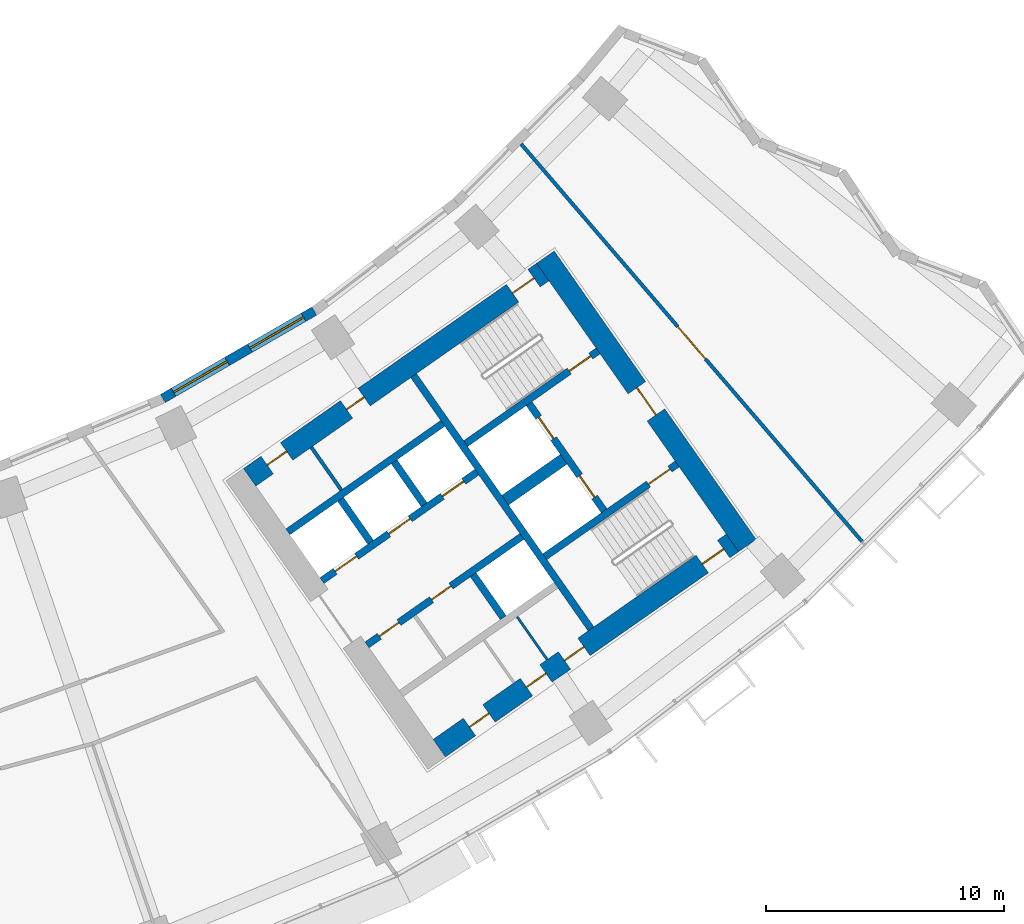
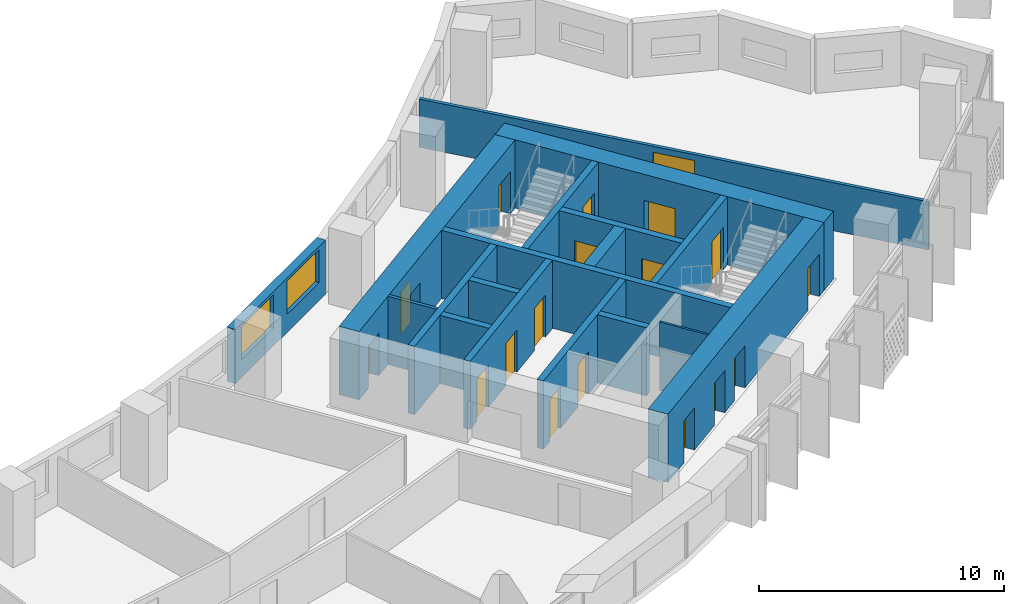
# One storey, part 7 of 28: 18 doors, 18 walls, 2 windows, 20 openings.
"""IFC4 building model written with IfcOpenShell, lengths in metres."""

from ifc_helpers import new_model, si_unit, direction, frame, frame_2d, origin, place, context, subcontext, project, spatial, rectangle, extrude, material, layer, layer_set, type_object, element, fill, save


model = new_model("IFC4")

# Units and contexts
model_context = context("Model", 3, precision=1e-05, world=origin(), true_north=direction((0.0, 1.0)))
body_context = subcontext(model_context, "Body", "Model", "MODEL_VIEW")
ifc_project = project(units=[si_unit("LENGTHUNIT", "METRE"), si_unit("AREAUNIT", "SQUARE_METRE"), si_unit("VOLUMEUNIT", "CUBIC_METRE"), si_unit("PLANEANGLEUNIT", "RADIAN"), si_unit("MASSUNIT", "GRAM", prefix="KILO")], contexts=[model_context])

# Site, building, storey
site_placement = place(None, origin())
site = spatial("IfcSite", under=ifc_project, at=site_placement, CompositionType="ELEMENT")
building_placement = place(site_placement, origin())
building = spatial("IfcBuilding", under=site, at=building_placement, Name="Qamariyya Broadcast Tower", CompositionType="ELEMENT")
storey_placement = place(building_placement, frame((0.0, 0.0, 140.5)))
storey = spatial("IfcBuildingStorey", under=building, at=storey_placement, Name="L32", CompositionType="ELEMENT", Elevation=140.5)

# Wall, opening, door
ifc_material_1 = material(Name="Concrete C70/85", Category="concrete")
ifc_layer_1 = layer(ifc_material_1, 0.89990234375)
ifc_layer_set_1 = layer_set([ifc_layer_1], Name="Core wall 900 mm Concrete C70/85")
wall_type_1 = type_object("IfcWallType", Name="Core wall 900 mm Concrete C70/85", PredefinedType="SHEAR", material=ifc_layer_set_1)
wall_1_placement = place(storey_placement, frame((49.778564453125, -57.191162109375, 0.0), z_axis=(0.0, 0.0, 1.0), x_axis=(-0.573577477574, 0.819151315216, 0.0)))
wall_1 = element("IfcWall", 1, at=wall_1_placement, inside=storey, type_object=wall_type_1, Name="k-E-L32-WH", PredefinedType="SHEAR", context=body_context, shape_type="SweptSolid", body=[
    extrude(rectangle(XDim=14.800048828125, YDim=0.89990234375, at=frame_2d((7.39990234375, 0.0))), origin(), (0.0, 0.0, 1.0), 3.39990234375),
])
opening_1_placement = place(wall_1_placement, frame((6.699951171875, 0.0, 0.0)))
opening_1 = element("IfcOpeningElement", 2, at=opening_1_placement, cuts=wall_1, Name="Opening KD2-E1", PredefinedType="OPENING", context=body_context, shape_type="SweptSolid", body=[
    extrude(rectangle(XDim=1.39990234375, YDim=2.10009765625, at=frame_2d((0.699951171875, 1.050048828125))), frame((0.0, 0.4599609375, 0.0), z_axis=(0.0, -1.0, 0.0), x_axis=(1.0, 0.0, 0.0)), (0.0, 0.0, 1.0), 0.919921875),
])
ifc_material_2 = material(Name="Steel fire-resisting door leaf", Category="steel")
door_type_1 = type_object("IfcDoorType", Name="Fire-fighting lobby door KD2", OperationType="DOUBLE_DOOR_SINGLE_SWING", PredefinedType="DOOR", material=ifc_material_2)
door_1_placement = place(opening_1_placement, origin())
door_1 = element("IfcDoor", 3, at=door_1_placement, inside=storey, type_object=door_type_1, Name="k-E-L32-WH-D14", OperationType="DOUBLE_DOOR_SINGLE_SWING", OverallHeight=2.10009765625, OverallWidth=1.39990234375, PredefinedType="DOOR", context=body_context, shape_type="SweptSolid", body=[
    extrude(rectangle(XDim=1.39990234375, YDim=2.10009765625, at=frame_2d((0.699951171875, 1.050048828125))), frame((0.0, 0.02490234375, 0.0), z_axis=(0.0, -1.0, 0.0), x_axis=(1.0, 0.0, 0.0)), (0.0, 0.0, 1.0), 0.050048828125),
])
fill(opening_1, door_1)

# Wall, openings, doors
wall_2_placement = place(storey_placement, frame((28.8544921875, -54.32421875, 0.0), z_axis=(0.0, 0.0, 1.0), x_axis=(0.819145767589, 0.573585400304, 0.0)))
wall_2 = element("IfcWall", 4, at=wall_2_placement, inside=storey, type_object=wall_type_1, Name="k-E-L32-WI", PredefinedType="SHEAR", context=body_context, shape_type="SweptSolid", body=[
    extrude(rectangle(XDim=15.04541015625, YDim=0.89990234375, at=frame_2d((7.522705078125, 0.0))), origin(), (0.0, 0.0, 1.0), 3.39990234375),
])
opening_2_placement = place(wall_2_placement, frame((0.89990234375, 0.0, 0.0)))
opening_2 = element("IfcOpeningElement", 5, at=opening_2_placement, cuts=wall_2, Name="Opening KD7-E1", PredefinedType="OPENING", context=body_context, shape_type="SweptSolid", body=[
    extrude(rectangle(XDim=1.0, YDim=2.10009765625, at=frame_2d((0.5, 1.050048828125))), frame((0.0, 0.4599609375, 0.0), z_axis=(0.0, -1.0, 0.0), x_axis=(1.0, 0.0, 0.0)), (0.0, 0.0, 1.0), 0.919921875),
])
opening_3_placement = place(wall_2_placement, frame((4.97509765625, 0.0, 0.0)))
opening_3 = element("IfcOpeningElement", 6, at=opening_3_placement, cuts=wall_2, Name="Opening KD5-E1", PredefinedType="OPENING", context=body_context, shape_type="SweptSolid", body=[
    extrude(rectangle(XDim=0.89990234375, YDim=2.10009765625, at=frame_2d((0.449951171875, 1.050048828125))), frame((0.0, 0.4599609375, 0.0), z_axis=(0.0, -1.0, 0.0), x_axis=(1.0, 0.0, 0.0)), (0.0, 0.0, 1.0), 0.919921875),
])
opening_4_placement = place(wall_2_placement, frame((13.495361328125, 0.0, 0.0)))
opening_4 = element("IfcOpeningElement", 7, at=opening_4_placement, cuts=wall_2, Name="Opening KD1-E1", PredefinedType="OPENING", context=body_context, shape_type="SweptSolid", body=[
    extrude(rectangle(XDim=1.10009765625, YDim=2.10009765625, at=frame_2d((0.550048828125, 1.050048828125))), frame((0.0, 0.4599609375, 0.0), z_axis=(0.0, -1.0, 0.0), x_axis=(1.0, 0.0, 0.0)), (0.0, 0.0, 1.0), 0.919921875),
])
door_type_2 = type_object("IfcDoorType", Name="Accessible toilet door KD7", OperationType="SINGLE_SWING_LEFT", PredefinedType="DOOR", material=ifc_material_2)
door_2_placement = place(opening_2_placement, origin())
door_2 = element("IfcDoor", 8, at=door_2_placement, inside=storey, type_object=door_type_2, Name="k-E-L32-WI-D7", OperationType="SINGLE_SWING_LEFT", OverallHeight=2.10009765625, OverallWidth=1.0, PredefinedType="DOOR", context=body_context, shape_type="SweptSolid", body=[
    extrude(rectangle(XDim=1.0, YDim=2.10009765625, at=frame_2d((0.5, 1.050048828125))), frame((0.0, 0.02490234375, 0.0), z_axis=(0.0, -1.0, 0.0), x_axis=(1.0, 0.0, 0.0)), (0.0, 0.0, 1.0), 0.050048828125),
])
fill(opening_2, door_2)
door_type_3 = type_object("IfcDoorType", Name="Stair door KD1", OperationType="SINGLE_SWING_LEFT", PredefinedType="DOOR", material=ifc_material_2)
door_3_placement = place(opening_4_placement, origin())
door_3 = element("IfcDoor", 9, at=door_3_placement, inside=storey, type_object=door_type_3, Name="k-E-L32-WI-D15", OperationType="SINGLE_SWING_RIGHT", OverallHeight=2.10009765625, OverallWidth=1.10009765625, PredefinedType="DOOR", context=body_context, shape_type="SweptSolid", body=[
    extrude(rectangle(XDim=1.10009765625, YDim=2.10009765625, at=frame_2d((0.550048828125, 1.050048828125))), frame((0.0, 0.02490234375, 0.0), z_axis=(0.0, -1.0, 0.0), x_axis=(1.0, 0.0, 0.0)), (0.0, 0.0, 1.0), 0.050048828125),
])
fill(opening_4, door_3)
door_type_4 = type_object("IfcDoorType", Name="Toilet door KD5", OperationType="SINGLE_SWING_LEFT", PredefinedType="DOOR", material=ifc_material_2)
door_4_placement = place(opening_3_placement, origin())
door_4 = element("IfcDoor", 10, at=door_4_placement, inside=storey, type_object=door_type_4, Name="k-E-L32-WI-D8", OperationType="SINGLE_SWING_RIGHT", OverallHeight=2.10009765625, OverallWidth=0.89990234375, PredefinedType="DOOR", context=body_context, shape_type="SweptSolid", body=[
    extrude(rectangle(XDim=0.89990234375, YDim=2.10009765625, at=frame_2d((0.449951171875, 1.050048828125))), frame((0.0, 0.02490234375, 0.0), z_axis=(0.0, -1.0, 0.0), x_axis=(1.0, 0.0, 0.0)), (0.0, 0.0, 1.0), 0.050048828125),
])
fill(opening_3, door_4)

wall_3_placement = place(storey_placement, frame((36.827392578125, -65.710205078125, 0.0), z_axis=(0.0, 0.0, 1.0), x_axis=(0.819153391756, 0.573574511963, 0.0)))
wall_3 = element("IfcWall", 11, at=wall_3_placement, inside=storey, type_object=wall_type_1, Name="k-E-L32-WO", PredefinedType="SHEAR", context=body_context, shape_type="SweptSolid", body=[
    extrude(rectangle(XDim=15.04541015625, YDim=0.89990234375, at=frame_2d((7.522705078125, 0.0))), origin(), (0.0, 0.0, 1.0), 3.39990234375),
])
opening_5_placement = place(wall_3_placement, frame((1.550048828125, 0.0, 0.0)))
opening_5 = element("IfcOpeningElement", 12, at=opening_5_placement, cuts=wall_3, Name="Opening KD4-E2", PredefinedType="OPENING", context=body_context, shape_type="SweptSolid", body=[
    extrude(rectangle(XDim=1.0, YDim=2.10009765625, at=frame_2d((0.5, 1.050048828125))), frame((0.0, 0.4599609375, 0.0), z_axis=(0.0, -1.0, 0.0), x_axis=(1.0, 0.0, 0.0)), (0.0, 0.0, 1.0), 0.919921875),
])
opening_6_placement = place(wall_3_placement, frame((4.47509765625, 0.0, 0.0)))
opening_6 = element("IfcOpeningElement", 13, at=opening_6_placement, cuts=wall_3, Name="Opening KD4-E3", PredefinedType="OPENING", context=body_context, shape_type="SweptSolid", body=[
    extrude(rectangle(XDim=1.0, YDim=2.10009765625, at=frame_2d((0.5, 1.050048828125))), frame((0.0, 0.4599609375, 0.0), z_axis=(0.0, -1.0, 0.0), x_axis=(1.0, 0.0, 0.0)), (0.0, 0.0, 1.0), 0.919921875),
])
opening_7_placement = place(wall_3_placement, frame((6.425048828125, 0.0, 0.0)))
opening_7 = element("IfcOpeningElement", 14, at=opening_7_placement, cuts=wall_3, Name="Opening KD4-E4", PredefinedType="OPENING", context=body_context, shape_type="SweptSolid", body=[
    extrude(rectangle(XDim=1.0, YDim=2.10009765625, at=frame_2d((0.5, 1.050048828125))), frame((0.0, 0.4599609375, 0.0), z_axis=(0.0, -1.0, 0.0), x_axis=(1.0, 0.0, 0.0)), (0.0, 0.0, 1.0), 0.919921875),
])
opening_8_placement = place(wall_3_placement, frame((13.495361328125, 0.0, 0.0)))
opening_8 = element("IfcOpeningElement", 15, at=opening_8_placement, cuts=wall_3, Name="Opening KD1-E3", PredefinedType="OPENING", context=body_context, shape_type="SweptSolid", body=[
    extrude(rectangle(XDim=1.10009765625, YDim=2.10009765625, at=frame_2d((0.550048828125, 1.050048828125))), frame((0.0, 0.4599609375, 0.0), z_axis=(0.0, -1.0, 0.0), x_axis=(1.0, 0.0, 0.0)), (0.0, 0.0, 1.0), 0.919921875),
])
door_type_5 = type_object("IfcDoorType", Name="Riser and plant door KD4", OperationType="SINGLE_SWING_LEFT", PredefinedType="DOOR", material=ifc_material_2)
door_5_placement = place(opening_5_placement, origin())
door_5 = element("IfcDoor", 16, at=door_5_placement, inside=storey, type_object=door_type_5, Name="k-E-L32-WO-D9", OperationType="SINGLE_SWING_LEFT", OverallHeight=2.10009765625, OverallWidth=1.0, PredefinedType="DOOR", context=body_context, shape_type="SweptSolid", body=[
    extrude(rectangle(XDim=1.0, YDim=2.10009765625, at=frame_2d((0.5, 1.050048828125))), frame((0.0, 0.02490234375, 0.0), z_axis=(0.0, -1.0, 0.0), x_axis=(1.0, 0.0, 0.0)), (0.0, 0.0, 1.0), 0.050048828125),
])
fill(opening_5, door_5)
door_6_placement = place(opening_6_placement, origin())
door_6 = element("IfcDoor", 17, at=door_6_placement, inside=storey, type_object=door_type_5, Name="k-E-L32-WO-D10", OperationType="SINGLE_SWING_RIGHT", OverallHeight=2.10009765625, OverallWidth=1.0, PredefinedType="DOOR", context=body_context, shape_type="SweptSolid", body=[
    extrude(rectangle(XDim=1.0, YDim=2.10009765625, at=frame_2d((0.5, 1.050048828125))), frame((0.0, 0.02490234375, 0.0), z_axis=(0.0, -1.0, 0.0), x_axis=(1.0, 0.0, 0.0)), (0.0, 0.0, 1.0), 0.050048828125),
])
fill(opening_6, door_6)
door_7_placement = place(opening_7_placement, origin())
door_7 = element("IfcDoor", 18, at=door_7_placement, inside=storey, type_object=door_type_5, Name="k-E-L32-WO-D11", OperationType="SINGLE_SWING_LEFT", OverallHeight=2.10009765625, OverallWidth=1.0, PredefinedType="DOOR", context=body_context, shape_type="SweptSolid", body=[
    extrude(rectangle(XDim=1.0, YDim=2.10009765625, at=frame_2d((0.5, 1.050048828125))), frame((0.0, 0.02490234375, 0.0), z_axis=(0.0, -1.0, 0.0), x_axis=(1.0, 0.0, 0.0)), (0.0, 0.0, 1.0), 0.050048828125),
])
fill(opening_7, door_7)
door_8_placement = place(opening_8_placement, origin())
door_8 = element("IfcDoor", 19, at=door_8_placement, inside=storey, type_object=door_type_3, Name="k-E-L32-WO-D17", OperationType="SINGLE_SWING_LEFT", OverallHeight=2.10009765625, OverallWidth=1.10009765625, PredefinedType="DOOR", context=body_context, shape_type="SweptSolid", body=[
    extrude(rectangle(XDim=1.10009765625, YDim=2.10009765625, at=frame_2d((0.550048828125, 1.050048828125))), frame((0.0, 0.02490234375, 0.0), z_axis=(0.0, -1.0, 0.0), x_axis=(1.0, 0.0, 0.0)), (0.0, 0.0, 1.0), 0.050048828125),
])
fill(opening_8, door_8)

# Wall, opening, door
ifc_material_3 = material(Name="Gypsum board partition")
ifc_layer_2 = layer(ifc_material_3, 0.14990234375)
ifc_layer_set_2 = layer_set([ifc_layer_2], Name="Corridor partition 150 EI 60")
wall_type_2 = type_object("IfcWallType", Name="Corridor partition 150 EI 60", PredefinedType="PARTITIONING", material=ifc_layer_set_2)
wall_4_placement = place(storey_placement, frame((40.267578125, -40.310791015625, 0.0), z_axis=(0.0, 0.0, 1.0), x_axis=(0.650987681244, -0.759088294514, 0.0)))
wall_4 = element("IfcWall", 20, at=wall_4_placement, inside=storey, type_object=wall_type_2, Name="Partition L32-036", PredefinedType="PARTITIONING", context=body_context, shape_type="SweptSolid", body=[
    extrude(rectangle(XDim=22.017822265625, YDim=0.14990234375, at=frame_2d((11.0087890625, 0.0))), origin(), (0.0, 0.0, 1.0), 2.39990234375),
])
opening_9_placement = place(wall_4_placement, frame((10.10888671875, 0.0, 0.0)))
opening_9 = element("IfcOpeningElement", 21, at=opening_9_placement, cuts=wall_4, Name="Opening L32-D17", PredefinedType="OPENING", context=body_context, shape_type="SweptSolid", body=[
    extrude(rectangle(XDim=1.800048828125, YDim=2.10009765625, at=frame_2d((0.89990234375, 1.050048828125))), frame((0.0, 0.0849609375, 0.0), z_axis=(0.0, -1.0, 0.0), x_axis=(1.0, 0.0, 0.0)), (0.0, 0.0, 1.0), 0.169921875),
])
ifc_material_4 = material(Name="Timber fire door leaf", Category="wood")
door_type_6 = type_object("IfcDoorType", Name="Double fire door 1800 x 2100 FD60", OperationType="NOTDEFINED", PredefinedType="DOOR", material=ifc_material_4)
door_9_placement = place(opening_9_placement, origin())
door_9 = element("IfcDoor", 22, at=door_9_placement, inside=storey, type_object=door_type_6, Name="Door L32-D17", OperationType="DOUBLE_DOOR_SINGLE_SWING", OverallHeight=2.10009765625, OverallWidth=1.800048828125, PredefinedType="DOOR", context=body_context, shape_type="SweptSolid", body=[
    extrude(rectangle(XDim=1.800048828125, YDim=2.10009765625, at=frame_2d((0.89990234375, 1.050048828125))), frame((0.0, 0.02490234375, 0.0), z_axis=(0.0, -1.0, 0.0), x_axis=(1.0, 0.0, 0.0)), (0.0, 0.0, 1.0), 0.050048828125),
])
fill(opening_9, door_9)

# Walls
ifc_material_5 = material(Name="Concrete C60/75", Category="concrete")
ifc_layer_3 = layer(ifc_material_5, 0.5)
ifc_layer_set_3 = layer_set([ifc_layer_3], Name="Fire-fighting lobby divider wall 500 mm Concrete C60/75")
wall_type_3 = type_object("IfcWallType", Name="Fire-fighting lobby divider wall 500 mm Concrete C60/75", PredefinedType="SOLIDWALL", material=ifc_layer_set_3)
wall_5_placement = place(storey_placement, frame((39.59912109375, -55.28515625, 0.0), z_axis=(0.0, 0.0, 1.0), x_axis=(0.819136323161, 0.573598887793, 0.0)))
element("IfcWall", 23, at=wall_5_placement, inside=storey, type_object=wall_type_3, Name="k-E-L32-FD", PredefinedType="SOLIDWALL", context=body_context, shape_type="SweptSolid", body=[
    extrude(rectangle(XDim=2.999755859375, YDim=0.5, at=frame_2d((1.5, 0.0))), origin(), (0.0, 0.0, 1.0), 3.39990234375),
])
ifc_material_6 = material(Name="Gypsum board partition on steel studs", Category="steel")
ifc_layer_4 = layer(ifc_material_6, 0.14990234375)
ifc_layer_set_4 = layer_set([ifc_layer_4], Name="Gypsum board partition 150 mm")
wall_type_4 = type_object("IfcWallType", Name="Gypsum board partition 150 mm", PredefinedType="PARTITIONING", material=ifc_layer_set_4)
wall_6_placement = place(storey_placement, frame((32.709228515625, -54.860107421875, 0.0), z_axis=(0.0, 0.0, 1.0), x_axis=(-0.573633636671, 0.819111989218, 0.0)))
element("IfcWall", 24, at=wall_6_placement, inside=storey, type_object=wall_type_4, Name="k-E-L32-NP285", PredefinedType="PARTITIONING", context=body_context, shape_type="SweptSolid", body=[
    extrude(rectangle(XDim=2.199951171875, YDim=0.14990234375, at=frame_2d((1.10009765625, 0.0))), origin(), (0.0, 0.0, 1.0), 3.39990234375),
])
ifc_layer_5 = layer(ifc_material_5, 0.300048828125)
ifc_layer_set_5 = layer_set([ifc_layer_5], Name="Lift shaft wall 300 mm Concrete C60/75")
wall_type_5 = type_object("IfcWallType", Name="Lift shaft wall 300 mm Concrete C60/75", PredefinedType="SOLIDWALL", material=ifc_layer_set_5)
wall_7_placement = place(storey_placement, frame((43.204345703125, -60.69580078125, 0.0), z_axis=(0.0, 0.0, 1.0), x_axis=(-0.573571992966, 0.819155155563, 0.0)))
element("IfcWall", 25, at=wall_7_placement, inside=storey, type_object=wall_type_5, Name="k-E-L32-WL", PredefinedType="SOLIDWALL", context=body_context, shape_type="SweptSolid", body=[
    extrude(rectangle(XDim=13.000244140625, YDim=0.300048828125, at=frame_2d((6.5, 0.0))), origin(), (0.0, 0.0, 1.0), 3.39990234375),
])

# Wall, openings, doors
wall_8_placement = place(storey_placement, frame((31.89453125, -58.66552734375, 0.0), z_axis=(0.0, 0.0, 1.0), x_axis=(0.819166993208, 0.573555086491, 0.0)))
wall_8 = element("IfcWall", 26, at=wall_8_placement, inside=storey, type_object=wall_type_5, Name="k-E-L32-NF0", PredefinedType="SOLIDWALL", context=body_context, shape_type="SweptSolid", body=[
    extrude(rectangle(XDim=7.9501953125, YDim=0.300048828125, at=frame_2d((3.97509765625, 0.0))), origin(), (0.0, 0.0, 1.0), 3.39990234375),
])
opening_10_placement = place(wall_8_placement, frame((0.675048828125, 0.0, 0.0)))
opening_10 = element("IfcOpeningElement", 27, at=opening_10_placement, cuts=wall_8, Name="Opening LD", PredefinedType="OPENING", context=body_context, shape_type="SweptSolid", body=[
    extrude(rectangle(XDim=1.10009765625, YDim=2.10009765625, at=frame_2d((0.550048828125, 1.050048828125))), frame((0.0, 0.159912109375, 0.0), z_axis=(0.0, -1.0, 0.0), x_axis=(1.0, 0.0, 0.0)), (0.0, 0.0, 1.0), 0.320068359375),
])
opening_11_placement = place(wall_8_placement, frame((3.425048828125, 0.0, 0.0)))
opening_11 = element("IfcOpeningElement", 28, at=opening_11_placement, cuts=wall_8, Name="Opening LD", PredefinedType="OPENING", context=body_context, shape_type="SweptSolid", body=[
    extrude(rectangle(XDim=1.10009765625, YDim=2.10009765625, at=frame_2d((0.550048828125, 1.050048828125))), frame((0.0, 0.159912109375, 0.0), z_axis=(0.0, -1.0, 0.0), x_axis=(1.0, 0.0, 0.0)), (0.0, 0.0, 1.0), 0.320068359375),
])
opening_12_placement = place(wall_8_placement, frame((6.175048828125, 0.0, 0.0)))
opening_12 = element("IfcOpeningElement", 29, at=opening_12_placement, cuts=wall_8, Name="Opening LD", PredefinedType="OPENING", context=body_context, shape_type="SweptSolid", body=[
    extrude(rectangle(XDim=1.10009765625, YDim=2.10009765625, at=frame_2d((0.550048828125, 1.050048828125))), frame((0.0, 0.159912109375, 0.0), z_axis=(0.0, -1.0, 0.0), x_axis=(1.0, 0.0, 0.0)), (0.0, 0.0, 1.0), 0.320068359375),
])
door_type_7 = type_object("IfcDoorType", Name="Lift landing door LD", OperationType="DOUBLE_DOOR_SLIDING", PredefinedType="DOOR", material=ifc_material_2)
door_10_placement = place(opening_10_placement, origin())
door_10 = element("IfcDoor", 30, at=door_10_placement, inside=storey, type_object=door_type_7, Name="k-E-L32-NF0-D2", OperationType="DOUBLE_DOOR_SLIDING", OverallHeight=2.10009765625, OverallWidth=1.10009765625, PredefinedType="DOOR", context=body_context, shape_type="SweptSolid", body=[
    extrude(rectangle(XDim=1.10009765625, YDim=2.10009765625, at=frame_2d((0.550048828125, 1.050048828125))), frame((0.0, 0.02490234375, 0.0), z_axis=(0.0, -1.0, 0.0), x_axis=(1.0, 0.0, 0.0)), (0.0, 0.0, 1.0), 0.050048828125),
])
fill(opening_10, door_10)
door_11_placement = place(opening_11_placement, origin())
door_11 = element("IfcDoor", 31, at=door_11_placement, inside=storey, type_object=door_type_7, Name="k-E-L32-NF0-D3", OperationType="DOUBLE_DOOR_SLIDING", OverallHeight=2.10009765625, OverallWidth=1.10009765625, PredefinedType="DOOR", context=body_context, shape_type="SweptSolid", body=[
    extrude(rectangle(XDim=1.10009765625, YDim=2.10009765625, at=frame_2d((0.550048828125, 1.050048828125))), frame((0.0, 0.02490234375, 0.0), z_axis=(0.0, -1.0, 0.0), x_axis=(1.0, 0.0, 0.0)), (0.0, 0.0, 1.0), 0.050048828125),
])
fill(opening_11, door_11)
door_12_placement = place(opening_12_placement, origin())
door_12 = element("IfcDoor", 32, at=door_12_placement, inside=storey, type_object=door_type_7, Name="k-E-L32-NF0-D4", OperationType="DOUBLE_DOOR_SLIDING", OverallHeight=2.10009765625, OverallWidth=1.10009765625, PredefinedType="DOOR", context=body_context, shape_type="SweptSolid", body=[
    extrude(rectangle(XDim=1.10009765625, YDim=2.10009765625, at=frame_2d((0.550048828125, 1.050048828125))), frame((0.0, 0.02490234375, 0.0), z_axis=(0.0, -1.0, 0.0), x_axis=(1.0, 0.0, 0.0)), (0.0, 0.0, 1.0), 0.050048828125),
])
fill(opening_12, door_12)

# Walls
wall_9_placement = place(storey_placement, frame((30.460693359375, -56.61767578125, 0.0), z_axis=(0.0, 0.0, 1.0), x_axis=(0.819142461705, 0.573590121456, 0.0)))
element("IfcWall", 33, at=wall_9_placement, inside=storey, type_object=wall_type_5, Name="k-E-L32-NB0", PredefinedType="SOLIDWALL", context=body_context, shape_type="SweptSolid", body=[
    extrude(rectangle(XDim=7.949951171875, YDim=0.300048828125, at=frame_2d((3.97509765625, 0.0))), origin(), (0.0, 0.0, 1.0), 3.39990234375),
])
wall_10_placement = place(storey_placement, frame((33.9384765625, -57.051513671875, 0.0), z_axis=(0.0, 0.0, 1.0), x_axis=(-0.573581496053, 0.819148501424, 0.0)))
element("IfcWall", 34, at=wall_10_placement, inside=storey, type_object=wall_type_5, Name="k-E-L32-ND0", PredefinedType="SOLIDWALL", context=body_context, shape_type="SweptSolid", body=[
    extrude(rectangle(XDim=2.2001953125, YDim=0.300048828125, at=frame_2d((1.10009765625, 0.0))), origin(), (0.0, 0.0, 1.0), 3.39990234375),
])
wall_11_placement = place(storey_placement, frame((36.19091796875, -55.47412109375, 0.0), z_axis=(0.0, 0.0, 1.0), x_axis=(-0.573507030513, 0.819200638399, 0.0)))
element("IfcWall", 35, at=wall_11_placement, inside=storey, type_object=wall_type_5, Name="k-E-L32-ND1", PredefinedType="SOLIDWALL", context=body_context, shape_type="SweptSolid", body=[
    extrude(rectangle(XDim=2.199951171875, YDim=0.300048828125, at=frame_2d((1.10009765625, 0.0))), origin(), (0.0, 0.0, 1.0), 3.39990234375),
])

# Wall, openings, doors
wall_12_placement = place(storey_placement, frame((33.787353515625, -61.368896484375, 0.0), z_axis=(0.0, 0.0, 1.0), x_axis=(0.819152564888, 0.573575692858, 0.0)))
wall_12 = element("IfcWall", 36, at=wall_12_placement, inside=storey, type_object=wall_type_5, Name="k-E-L32-SF0", PredefinedType="SOLIDWALL", context=body_context, shape_type="SweptSolid", body=[
    extrude(rectangle(XDim=7.9501953125, YDim=0.300048828125, at=frame_2d((3.97509765625, 0.0))), origin(), (0.0, 0.0, 1.0), 3.39990234375),
])
opening_13_placement = place(wall_12_placement, frame((0.637451171875, 0.0, 0.0)))
opening_13 = element("IfcOpeningElement", 37, at=opening_13_placement, cuts=wall_12, Name="Opening KD6-E1", PredefinedType="OPENING", context=body_context, shape_type="SweptSolid", body=[
    extrude(rectangle(XDim=1.0, YDim=2.10009765625, at=frame_2d((0.5, 1.050048828125))), frame((0.0, 0.159912109375, 0.0), z_axis=(0.0, -1.0, 0.0), x_axis=(1.0, 0.0, 0.0)), (0.0, 0.0, 1.0), 0.320068359375),
])
opening_14_placement = place(wall_12_placement, frame((3.3125, 0.0, 0.0)))
opening_14 = element("IfcOpeningElement", 38, at=opening_14_placement, cuts=wall_12, Name="Opening KD4-E1", PredefinedType="OPENING", context=body_context, shape_type="SweptSolid", body=[
    extrude(rectangle(XDim=1.0, YDim=2.10009765625, at=frame_2d((0.5, 1.050048828125))), frame((0.0, 0.159912109375, 0.0), z_axis=(0.0, -1.0, 0.0), x_axis=(1.0, 0.0, 0.0)), (0.0, 0.0, 1.0), 0.320068359375),
])
door_type_8 = type_object("IfcDoorType", Name="Core room door KD6", OperationType="SINGLE_SWING_LEFT", PredefinedType="DOOR", material=ifc_material_2)
door_13_placement = place(opening_13_placement, origin())
door_13 = element("IfcDoor", 39, at=door_13_placement, inside=storey, type_object=door_type_8, Name="k-E-L32-SF0-D5", OperationType="SINGLE_SWING_LEFT", OverallHeight=2.10009765625, OverallWidth=1.0, PredefinedType="DOOR", context=body_context, shape_type="SweptSolid", body=[
    extrude(rectangle(XDim=1.0, YDim=2.10009765625, at=frame_2d((0.5, 1.050048828125))), frame((0.0, 0.02490234375, 0.0), z_axis=(0.0, -1.0, 0.0), x_axis=(1.0, 0.0, 0.0)), (0.0, 0.0, 1.0), 0.050048828125),
])
fill(opening_13, door_13)
door_14_placement = place(opening_14_placement, origin())
door_14 = element("IfcDoor", 40, at=door_14_placement, inside=storey, type_object=door_type_5, Name="k-E-L32-SF0-D6", OperationType="SINGLE_SWING_RIGHT", OverallHeight=2.10009765625, OverallWidth=1.0, PredefinedType="DOOR", context=body_context, shape_type="SweptSolid", body=[
    extrude(rectangle(XDim=1.0, YDim=2.10009765625, at=frame_2d((0.5, 1.050048828125))), frame((0.0, 0.02490234375, 0.0), z_axis=(0.0, -1.0, 0.0), x_axis=(1.0, 0.0, 0.0)), (0.0, 0.0, 1.0), 0.050048828125),
])
fill(opening_14, door_14)

# Wall
wall_13_placement = place(storey_placement, frame((38.255859375, -58.423095703125, 0.0), z_axis=(0.0, 0.0, 1.0), x_axis=(0.573633636671, -0.819111989218, 0.0)))
element("IfcWall", 41, at=wall_13_placement, inside=storey, type_object=wall_type_5, Name="k-E-L32-SD1", PredefinedType="SOLIDWALL", context=body_context, shape_type="SweptSolid", body=[
    extrude(rectangle(XDim=2.199951171875, YDim=0.300048828125, at=frame_2d((1.10009765625, 0.0))), origin(), (0.0, 0.0, 1.0), 3.39990234375),
])

# Wall, opening, door
wall_14_placement = place(storey_placement, frame((37.935546875, -52.90966796875, 0.0), z_axis=(0.0, 0.0, 1.0), x_axis=(0.819147518138, 0.57358290031, 0.0)))
wall_14 = element("IfcWall", 42, at=wall_14_placement, inside=storey, type_object=wall_type_5, Name="k-E-L32-NW", PredefinedType="SOLIDWALL", context=body_context, shape_type="SweptSolid", body=[
    extrude(rectangle(XDim=6.79541015625, YDim=0.300048828125, at=frame_2d((3.397705078125, 0.0))), origin(), (0.0, 0.0, 1.0), 3.39990234375),
])
opening_15_placement = place(wall_14_placement, frame((5.3203125, 0.0, 0.0)))
opening_15 = element("IfcOpeningElement", 43, at=opening_15_placement, cuts=wall_14, Name="Opening KD1-E2", PredefinedType="OPENING", context=body_context, shape_type="SweptSolid", body=[
    extrude(rectangle(XDim=1.10009765625, YDim=2.10009765625, at=frame_2d((0.550048828125, 1.050048828125))), frame((0.0, 0.159912109375, 0.0), z_axis=(0.0, -1.0, 0.0), x_axis=(1.0, 0.0, 0.0)), (0.0, 0.0, 1.0), 0.320068359375),
])
door_15_placement = place(opening_15_placement, origin())
door_15 = element("IfcDoor", 44, at=door_15_placement, inside=storey, type_object=door_type_3, Name="k-E-L32-NW-D16", OperationType="SINGLE_SWING_RIGHT", OverallHeight=2.10009765625, OverallWidth=1.10009765625, PredefinedType="DOOR", context=body_context, shape_type="SweptSolid", body=[
    extrude(rectangle(XDim=1.10009765625, YDim=2.10009765625, at=frame_2d((0.550048828125, 1.050048828125))), frame((0.0, 0.02490234375, 0.0), z_axis=(0.0, -1.0, 0.0), x_axis=(1.0, 0.0, 0.0)), (0.0, 0.0, 1.0), 0.050048828125),
])
fill(opening_15, door_15)

wall_15_placement = place(storey_placement, frame((41.262451171875, -57.66064453125, 0.0), z_axis=(0.0, 0.0, 1.0), x_axis=(0.819164398642, 0.573558792102, 0.0)))
wall_15 = element("IfcWall", 45, at=wall_15_placement, inside=storey, type_object=wall_type_5, Name="k-E-L32-SW", PredefinedType="SOLIDWALL", context=body_context, shape_type="SweptSolid", body=[
    extrude(rectangle(XDim=6.795166015625, YDim=0.300048828125, at=frame_2d((3.3974609375, 0.0))), origin(), (0.0, 0.0, 1.0), 3.39990234375),
])
opening_16_placement = place(wall_15_placement, frame((5.3203125, 0.0, 0.0)))
opening_16 = element("IfcOpeningElement", 46, at=opening_16_placement, cuts=wall_15, Name="Opening KD1-E4", PredefinedType="OPENING", context=body_context, shape_type="SweptSolid", body=[
    extrude(rectangle(XDim=1.10009765625, YDim=2.10009765625, at=frame_2d((0.550048828125, 1.050048828125))), frame((0.0, 0.159912109375, 0.0), z_axis=(0.0, -1.0, 0.0), x_axis=(1.0, 0.0, 0.0)), (0.0, 0.0, 1.0), 0.320068359375),
])
door_16_placement = place(opening_16_placement, origin())
door_16 = element("IfcDoor", 47, at=door_16_placement, inside=storey, type_object=door_type_3, Name="k-E-L32-SW-D18", OperationType="SINGLE_SWING_RIGHT", OverallHeight=2.10009765625, OverallWidth=1.10009765625, PredefinedType="DOOR", context=body_context, shape_type="SweptSolid", body=[
    extrude(rectangle(XDim=1.10009765625, YDim=2.10009765625, at=frame_2d((0.550048828125, 1.050048828125))), frame((0.0, 0.02490234375, 0.0), z_axis=(0.0, -1.0, 0.0), x_axis=(1.0, 0.0, 0.0)), (0.0, 0.0, 1.0), 0.050048828125),
])
fill(opening_16, door_16)

# Wall, openings, doors
wall_16_placement = place(storey_placement, frame((43.756591796875, -55.731201171875, 0.0), z_axis=(0.0, 0.0, 1.0), x_axis=(-0.573536818435, 0.819179783625, 0.0)))
wall_16 = element("IfcWall", 48, at=wall_16_placement, inside=storey, type_object=wall_type_5, Name="k-E-L32-FF", PredefinedType="SOLIDWALL", context=body_context, shape_type="SweptSolid", body=[
    extrude(rectangle(XDim=5.500244140625, YDim=0.300048828125, at=frame_2d((2.75, 0.0))), origin(), (0.0, 0.0, 1.0), 3.39990234375),
])
opening_17_placement = place(wall_16_placement, frame((0.699951171875, 0.0, 0.0)))
opening_17 = element("IfcOpeningElement", 49, at=opening_17_placement, cuts=wall_16, Name="Opening LD", PredefinedType="OPENING", context=body_context, shape_type="SweptSolid", body=[
    extrude(rectangle(XDim=1.10009765625, YDim=2.10009765625, at=frame_2d((0.550048828125, 1.050048828125))), frame((0.0, 0.159912109375, 0.0), z_axis=(0.0, -1.0, 0.0), x_axis=(1.0, 0.0, 0.0)), (0.0, 0.0, 1.0), 0.320068359375),
])
opening_18_placement = place(wall_16_placement, frame((3.699951171875, 0.0, 0.0)))
opening_18 = element("IfcOpeningElement", 50, at=opening_18_placement, cuts=wall_16, Name="Opening LD", PredefinedType="OPENING", context=body_context, shape_type="SweptSolid", body=[
    extrude(rectangle(XDim=1.10009765625, YDim=2.10009765625, at=frame_2d((0.550048828125, 1.050048828125))), frame((0.0, 0.159912109375, 0.0), z_axis=(0.0, -1.0, 0.0), x_axis=(1.0, 0.0, 0.0)), (0.0, 0.0, 1.0), 0.320068359375),
])
door_17_placement = place(opening_17_placement, origin())
door_17 = element("IfcDoor", 51, at=door_17_placement, inside=storey, type_object=door_type_7, Name="k-E-L32-FF-D12", OperationType="DOUBLE_DOOR_SLIDING", OverallHeight=2.10009765625, OverallWidth=1.10009765625, PredefinedType="DOOR", context=body_context, shape_type="SweptSolid", body=[
    extrude(rectangle(XDim=1.10009765625, YDim=2.10009765625, at=frame_2d((0.550048828125, 1.050048828125))), frame((0.0, 0.02490234375, 0.0), z_axis=(0.0, -1.0, 0.0), x_axis=(1.0, 0.0, 0.0)), (0.0, 0.0, 1.0), 0.050048828125),
])
fill(opening_17, door_17)
door_18_placement = place(opening_18_placement, origin())
door_18 = element("IfcDoor", 52, at=door_18_placement, inside=storey, type_object=door_type_7, Name="k-E-L32-FF-D13", OperationType="DOUBLE_DOOR_SLIDING", OverallHeight=2.10009765625, OverallWidth=1.10009765625, PredefinedType="DOOR", context=body_context, shape_type="SweptSolid", body=[
    extrude(rectangle(XDim=1.10009765625, YDim=2.10009765625, at=frame_2d((0.550048828125, 1.050048828125))), frame((0.0, 0.02490234375, 0.0), z_axis=(0.0, -1.0, 0.0), x_axis=(1.0, 0.0, 0.0)), (0.0, 0.0, 1.0), 0.050048828125),
])
fill(opening_18, door_18)

# Wall
ifc_material_7 = material(Name="Fire-rated gypsum shaft liner on steel studs", Category="steel")
ifc_layer_6 = layer(ifc_material_7, 0.10009765625)
ifc_layer_set_6 = layer_set([ifc_layer_6], Name="Riser wall 100 mm")
wall_type_6 = type_object("IfcWallType", Name="Riser wall 100 mm", PredefinedType="PLUMBINGWALL", material=ifc_layer_set_6)
wall_17_placement = place(storey_placement, frame((40.099365234375, -60.18408203125, 0.0), z_axis=(0.0, 0.0, 1.0), x_axis=(0.573633636671, -0.819111989218, 0.0)))
element("IfcWall", 53, at=wall_17_placement, inside=storey, type_object=wall_type_6, Name="k-E-L32-SP585", PredefinedType="PLUMBINGWALL", context=body_context, shape_type="SweptSolid", body=[
    extrude(rectangle(XDim=2.199951171875, YDim=0.10009765625, at=frame_2d((1.10009765625, 0.0))), origin(), (0.0, 0.0, 1.0), 3.39990234375),
])

# Wall, openings, windows
ifc_material_8 = material(Name="Terracotta", Category="masonry")
ifc_layer_7 = layer(ifc_material_8, 0.39990234375)
ifc_layer_set_7 = layer_set([ifc_layer_7], Name="Terracotta clad wall 400")
wall_type_7 = type_object("IfcWallType", Name="Terracotta clad wall 400", PredefinedType="SOLIDWALL", material=ifc_layer_set_7)
wall_18_placement = place(storey_placement, frame((31.568359375, -47.33642578125, 0.0), z_axis=(0.0, 0.0, 1.0), x_axis=(-0.866030525931, -0.499991128077, 0.0)))
wall_18 = element("IfcWall", 54, at=wall_18_placement, inside=storey, type_object=wall_type_7, Name="e-wl-L32-in130", PredefinedType="SOLIDWALL", context=body_context, shape_type="SweptSolid", body=[
    extrude(rectangle(XDim=7.341552734375, YDim=0.39990234375, at=frame_2d((3.6708984375, 0.0))), origin(), (0.0, 0.0, 1.0), 2.699951171875),
])
opening_19_placement = place(wall_18_placement, frame((4.224853515625, 0.0, 0.89990234375)))
opening_19 = element("IfcOpeningElement", 55, at=opening_19_placement, cuts=wall_18, Name="Opening W1", PredefinedType="OPENING", context=body_context, shape_type="SweptSolid", body=[
    extrude(rectangle(XDim=2.60009765625, YDim=1.64990234375, at=frame_2d((1.300048828125, 0.824951171875))), frame((0.0, 0.2099609375, 0.0), z_axis=(0.0, -1.0, 0.0), x_axis=(1.0, 0.0, 0.0)), (0.0, 0.0, 1.0), 0.419921875),
])
opening_20_placement = place(wall_18_placement, frame((0.5166015625, 0.0, 0.89990234375)))
opening_20 = element("IfcOpeningElement", 56, at=opening_20_placement, cuts=wall_18, Name="Opening W1", PredefinedType="OPENING", context=body_context, shape_type="SweptSolid", body=[
    extrude(rectangle(XDim=2.60009765625, YDim=1.64990234375, at=frame_2d((1.300048828125, 0.824951171875))), frame((0.0, 0.2099609375, 0.0), z_axis=(0.0, -1.0, 0.0), x_axis=(1.0, 0.0, 0.0)), (0.0, 0.0, 1.0), 0.419921875),
])
ifc_material_9 = material(Name="Clear low-e double glazed unit in aluminium frame", Category="aluminium")
window_type = type_object("IfcWindowType", Name="Ribbon window 2600 x 1650", PartitioningType="SINGLE_PANEL", PredefinedType="WINDOW", material=ifc_material_9)
window_1_placement = place(opening_19_placement, origin())
window_1 = element("IfcWindow", 57, at=window_1_placement, inside=storey, type_object=window_type, Name="e-w-L32-in13-0", OverallHeight=1.64990234375, OverallWidth=2.60009765625, PartitioningType="SINGLE_PANEL", PredefinedType="WINDOW", context=body_context, shape_type="SweptSolid", body=[
    extrude(rectangle(XDim=2.60009765625, YDim=1.64990234375, at=frame_2d((1.300048828125, 0.824951171875))), frame((0.0, 0.030029296875, 0.0), z_axis=(0.0, -1.0, 0.0), x_axis=(1.0, 0.0, 0.0)), (0.0, 0.0, 1.0), 0.06005859375),
])
fill(opening_19, window_1)
window_2_placement = place(opening_20_placement, origin())
window_2 = element("IfcWindow", 58, at=window_2_placement, inside=storey, type_object=window_type, Name="e-w-L32-in13-1", OverallHeight=1.64990234375, OverallWidth=2.60009765625, PartitioningType="SINGLE_PANEL", PredefinedType="WINDOW", context=body_context, shape_type="SweptSolid", body=[
    extrude(rectangle(XDim=2.60009765625, YDim=1.64990234375, at=frame_2d((1.300048828125, 0.824951171875))), frame((0.0, 0.030029296875, 0.0), z_axis=(0.0, -1.0, 0.0), x_axis=(1.0, 0.0, 0.0)), (0.0, 0.0, 1.0), 0.06005859375),
])
fill(opening_20, window_2)

save(model, "model.ifc")
